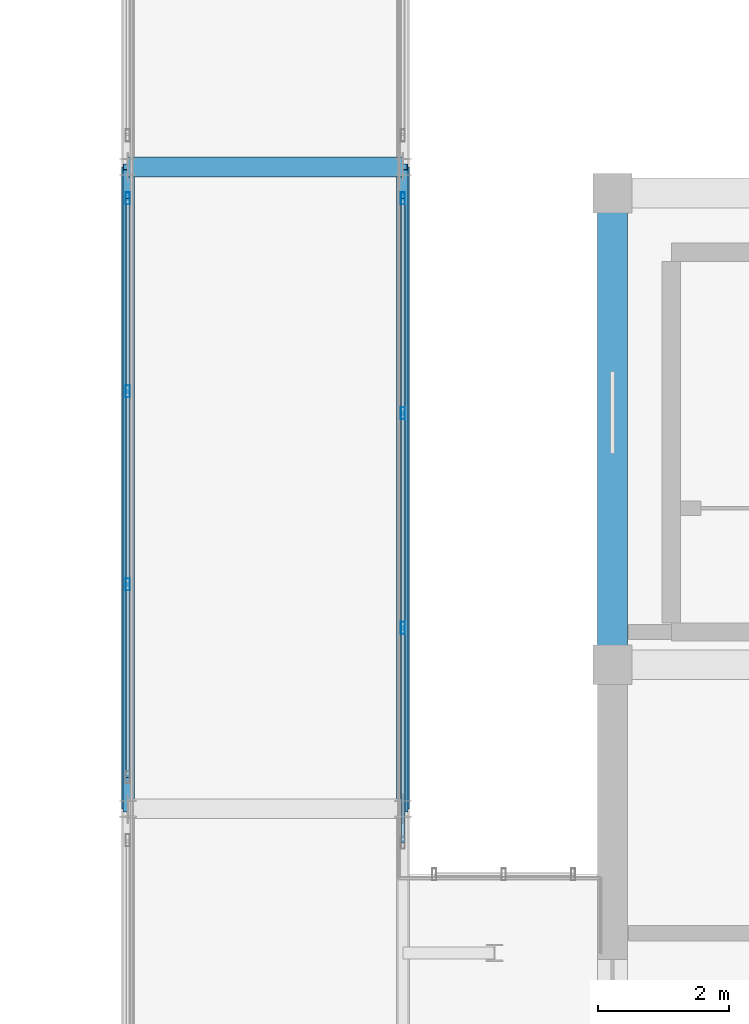
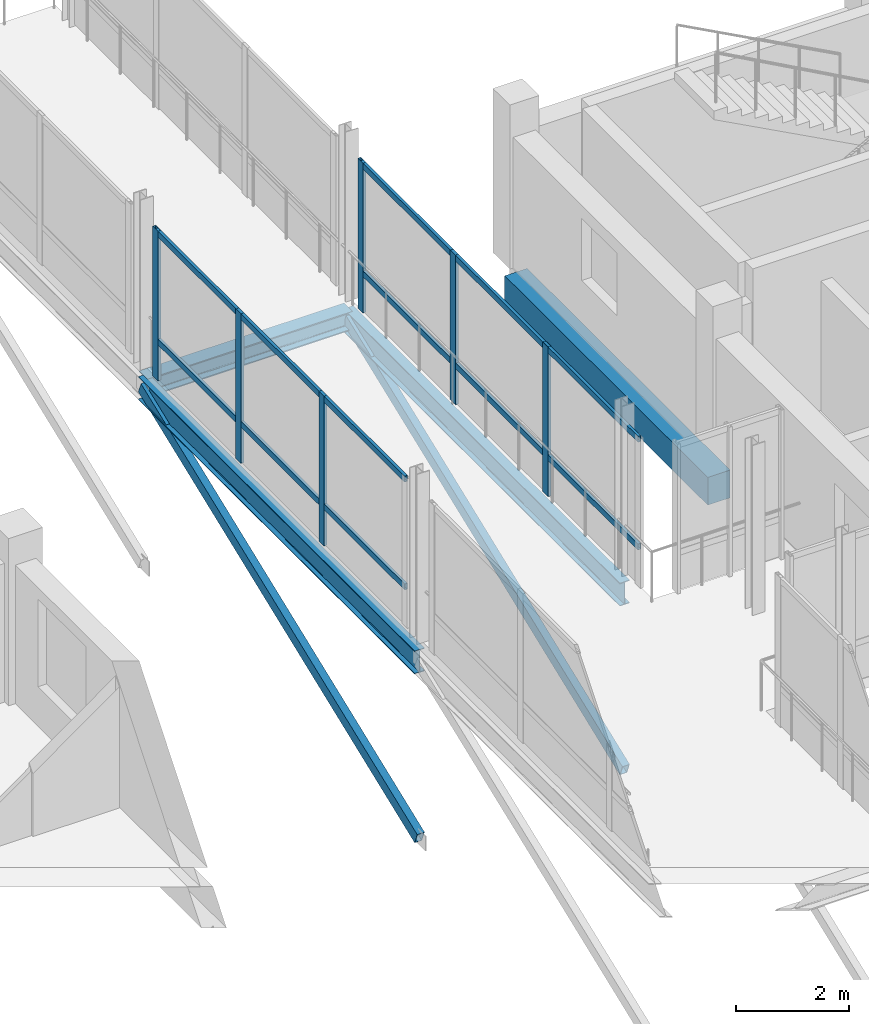
# One storey, part 21 of 128: 12 members, 4 beams, 2 elements without a shape of their own.
"""IFC4 building model written with IfcOpenShell, lengths in metres."""

from ifc_helpers import new_model, si_unit, direction, frame, origin, origin_2d, place, context, subcontext, project, spatial, rectangle, hollow_rectangle, i_section, extrude, material, material_profile, profile_set, type_object, element, aggregate, save


model = new_model("IFC4")

# Units and contexts
model_context = context("Model", 3, precision=1e-05, world=origin(), true_north=direction((0.0, 1.0)))
body_context = subcontext(model_context, "Body", "Model", "MODEL_VIEW")
ifc_project = project(units=[si_unit("LENGTHUNIT", "METRE"), si_unit("AREAUNIT", "SQUARE_METRE"), si_unit("VOLUMEUNIT", "CUBIC_METRE"), si_unit("PLANEANGLEUNIT", "RADIAN"), si_unit("MASSUNIT", "GRAM", prefix="KILO")], contexts=[model_context])

# Site, building, storey
site_placement = place(None, origin())
site = spatial("IfcSite", under=ifc_project, at=site_placement, CompositionType="ELEMENT")
building_placement = place(site_placement, origin())
building = spatial("IfcBuilding", under=site, at=building_placement, Name="Zornivar Specialist Clinic", CompositionType="ELEMENT")
storey_placement = place(building_placement, frame((0.0, 0.0, 4.5)))
storey = spatial("IfcBuildingStorey", under=building, at=storey_placement, Name="L01", CompositionType="ELEMENT", Elevation=4.5)

# Beams
ifc_material_1 = material(Name="Concrete C30/37", Category="concrete")
ifc_material_profile_1 = material_profile(ifc_material_1, rectangle(XDim=0.4599609375, YDim=0.60009765625, at=origin_2d()), Name="RC 460x600")
ifc_profile_set_1 = profile_set([ifc_material_profile_1], Name="Concrete C30/37")
beam_type_1 = type_object("IfcBeamType", Name="BM-RC-SPANDREL-460x600", PredefinedType="SPANDREL", material=ifc_profile_set_1)
beam_1_placement = place(storey_placement, frame((57.60009765625, 14.39990234375, -0.64990234375), z_axis=(0.0, 1.0, 0.0), x_axis=(-1.0, 0.0, 0.0)))
element("IfcBeam", 1, at=beam_1_placement, inside=storey, type_object=beam_type_1, Name="bm:V3:L01:y:576:2", PredefinedType="SPANDREL", context=body_context, shape_type="SweptSolid", body=[
    extrude(rectangle(XDim=0.4599609375, YDim=0.60009765625, at=origin_2d()), origin(), (0.0, 0.0, 1.0), 7.2001953125),
])
ifc_material_2 = material(Name="Steel S355J2", Category="steel")
ifc_material_profile_2 = material_profile(ifc_material_2, i_section(OverallWidth=0.300048828125, OverallDepth=0.39990234375, WebThickness=0.013427734375, FlangeThickness=0.02392578125, FilletRadius=0.027099609375, at=origin_2d()), Name="HEB 400")
ifc_profile_set_2 = profile_set([ifc_material_profile_2], Name="Steel S355J2")
beam_type_2 = type_object("IfcBeamType", Name="BM-STL-HEB400", PredefinedType="BEAM", material=ifc_profile_set_2)
beam_2_placement = place(storey_placement, frame((50.199951171875, 22.0, -0.429931640625), z_axis=(1.0, 0.0, 0.0), x_axis=(0.0, 1.0, 0.0)))
element("IfcBeam", 2, at=beam_2_placement, inside=storey, type_object=beam_type_2, Name="bm:BR1:L01:t:220", PredefinedType="BEAM", context=body_context, shape_type="SweptSolid", body=[
    extrude(i_section(OverallWidth=0.300048828125, OverallDepth=0.39990234375, WebThickness=0.013427734375, FlangeThickness=0.02392578125, FilletRadius=0.027099609375, at=origin_2d()), origin(), (0.0, 0.0, 1.0), 4.199951171875),
])
ifc_material_3 = material(Name="Steel S355J2", Category="steel")
ifc_material_profile_3 = material_profile(ifc_material_3, i_section(OverallWidth=0.199951171875, OverallDepth=0.5, WebThickness=0.01025390625, FlangeThickness=0.01611328125, FilletRadius=0.02099609375, at=origin_2d()), Name="IPE 500")
ifc_profile_set_3 = profile_set([ifc_material_profile_3], Name="Steel S355J2")
beam_type_3 = type_object("IfcBeamType", Name="BM-STL-IPE500", PredefinedType="BEAM", material=ifc_profile_set_3)
for number, where, z_axis, x_axis, name in (
    (3, (50.199951171875, 12.199951171875, -0.47998046875), (0.0, 1.0, 0.0), (-1.0, 0.0, 0.0), "bm:BR1:L01:g:502:1"),
    (4, (54.39990234375, 12.199951171875, -0.47998046875), (0.0, 1.0, 0.0), (-1.0, 0.0, 0.0), "bm:BR1:L01:g:544:1"),
):
    element("IfcBeam", number, at=place(storey_placement, frame(where, z_axis=z_axis, x_axis=x_axis)), inside=storey, type_object=beam_type_3, Name=name, PredefinedType="BEAM", context=body_context, shape_type="SweptSolid", body=[
        extrude(i_section(OverallWidth=0.199951171875, OverallDepth=0.5, WebThickness=0.01025390625, FlangeThickness=0.01611328125, FilletRadius=0.02099609375, at=origin_2d()), origin(), (0.0, 0.0, 1.0), 9.800048828125),
    ])

# Curtain wall, members
ifc_material_4 = material(Name="Aluminium and Low-E Glass Curtain Wall", Category="aluminium")
curtain_wall_type = type_object("IfcCurtainWallType", Name="CW-BRIDGE-LINK", PredefinedType="NOTDEFINED", material=ifc_material_4)
curtain_wall_1_placement = place(storey_placement, origin())
curtain_wall_1 = element("IfcCurtainWall", 5, at=curtain_wall_1_placement, inside=storey, type_object=curtain_wall_type, Name="cw:BR1:L01:W:1", PredefinedType="NOTDEFINED")
ifc_material_5 = material(Name="Aluminium AW-6060", Category="aluminium")
ifc_material_profile_4 = material_profile(ifc_material_5, hollow_rectangle(XDim=0.06494140625, YDim=0.18505859375, WallThickness=0.00439453125, at=origin_2d()), Name="ALU 65x185x4.5")
ifc_profile_set_4 = profile_set([ifc_material_profile_4], Name="Aluminium AW-6060")
member_type_1 = type_object("IfcMemberType", Name="CWM-MUL-185", PredefinedType="MULLION", material=ifc_profile_set_4)
member_1_placement = place(storey_placement, frame((50.199951171875, 15.626953125, 0.0), z_axis=(0.0, 0.0, 1.0), x_axis=(1.0, 0.0, 0.0)))
member_1 = element("IfcMember", 6, at=member_1_placement, type_object=member_type_1, Name="cw:BR1:L01:W:1:mul:1", PredefinedType="MULLION", context=body_context, shape_type="SweptSolid", body=[
    extrude(hollow_rectangle(XDim=0.06494140625, YDim=0.18505859375, WallThickness=0.00439453125, at=origin_2d()), origin(), (0.0, 0.0, 1.0), 3.239990234375),
])
member_2_placement = place(storey_placement, frame((50.199951171875, 18.572998046875, 0.0), z_axis=(0.0, 0.0, 1.0), x_axis=(1.0, 0.0, 0.0)))
member_2 = element("IfcMember", 7, at=member_2_placement, type_object=member_type_1, Name="cw:BR1:L01:W:1:mul:2", PredefinedType="MULLION", context=body_context, shape_type="SweptSolid", body=[
    extrude(hollow_rectangle(XDim=0.06494140625, YDim=0.18505859375, WallThickness=0.00439453125, at=origin_2d()), origin(), (0.0, 0.0, 1.0), 3.239990234375),
])
member_3_placement = place(storey_placement, frame((50.199951171875, 21.52001953125, 0.0), z_axis=(0.0, 0.0, 1.0), x_axis=(1.0, 0.0, 0.0)))
member_3 = element("IfcMember", 8, at=member_3_placement, type_object=member_type_1, Name="cw:BR1:L01:W:1:mul:3", PredefinedType="MULLION", context=body_context, shape_type="SweptSolid", body=[
    extrude(hollow_rectangle(XDim=0.06494140625, YDim=0.18505859375, WallThickness=0.00439453125, at=origin_2d()), origin(), (0.0, 0.0, 1.0), 3.239990234375),
])

curtain_wall_2_placement = place(storey_placement, origin())
curtain_wall_2 = element("IfcCurtainWall", 9, at=curtain_wall_2_placement, inside=storey, type_object=curtain_wall_type, Name="cw:BR1:L01:E:1", PredefinedType="NOTDEFINED")
member_4_placement = place(storey_placement, frame((54.39990234375, 14.9599609375, 0.0), z_axis=(0.0, 0.0, 1.0), x_axis=(1.0, 0.0, 0.0)))
member_4 = element("IfcMember", 10, at=member_4_placement, type_object=member_type_1, Name="cw:BR1:L01:E:1:mul:1", PredefinedType="MULLION", context=body_context, shape_type="SweptSolid", body=[
    extrude(hollow_rectangle(XDim=0.06494140625, YDim=0.18505859375, WallThickness=0.00439453125, at=origin_2d()), origin(), (0.0, 0.0, 1.0), 3.239990234375),
])
member_5_placement = place(storey_placement, frame((54.39990234375, 18.239990234375, 0.0), z_axis=(0.0, 0.0, 1.0), x_axis=(1.0, 0.0, 0.0)))
member_5 = element("IfcMember", 11, at=member_5_placement, type_object=member_type_1, Name="cw:BR1:L01:E:1:mul:2", PredefinedType="MULLION", context=body_context, shape_type="SweptSolid", body=[
    extrude(hollow_rectangle(XDim=0.06494140625, YDim=0.18505859375, WallThickness=0.00439453125, at=origin_2d()), origin(), (0.0, 0.0, 1.0), 3.239990234375),
])
member_6_placement = place(storey_placement, frame((54.39990234375, 21.52001953125, 0.0), z_axis=(0.0, 0.0, 1.0), x_axis=(1.0, 0.0, 0.0)))
member_6 = element("IfcMember", 12, at=member_6_placement, type_object=member_type_1, Name="cw:BR1:L01:E:1:mul:3", PredefinedType="MULLION", context=body_context, shape_type="SweptSolid", body=[
    extrude(hollow_rectangle(XDim=0.06494140625, YDim=0.18505859375, WallThickness=0.00439453125, at=origin_2d()), origin(), (0.0, 0.0, 1.0), 3.239990234375),
])

# Member
ifc_material_6 = material(Name="Aluminium AW-6060", Category="aluminium")
ifc_material_profile_5 = material_profile(ifc_material_6, hollow_rectangle(XDim=0.06005859375, YDim=0.1298828125, WallThickness=0.00390625, at=origin_2d()), Name="ALU 60x130x4")
ifc_profile_set_5 = profile_set([ifc_material_profile_5], Name="Aluminium AW-6060")
member_type_2 = type_object("IfcMemberType", Name="CWM-TRN-130", PredefinedType="USERDEFINED", material=ifc_profile_set_5)
member_7_placement = place(storey_placement, frame((50.199951171875, 12.679931640625, 0.842041015625), z_axis=(0.0, 1.0, 0.0), x_axis=(-1.0, 0.0, 0.0)))
member_7 = element("IfcMember", 13, at=member_7_placement, type_object=member_type_2, Name="cw:BR1:L01:W:1:trn:0", ObjectType="TRANSOM", PredefinedType="USERDEFINED", context=body_context, shape_type="SweptSolid", body=[
    extrude(hollow_rectangle(XDim=0.06005859375, YDim=0.1298828125, WallThickness=0.00390625, at=origin_2d()), origin(), (0.0, 0.0, 1.0), 8.840087890625),
])

member_8_placement = place(storey_placement, frame((50.199951171875, 12.679931640625, 3.175048828125), z_axis=(0.0, 1.0, 0.0), x_axis=(-1.0, 0.0, 0.0)))
member_8 = element("IfcMember", 14, at=member_8_placement, type_object=member_type_2, Name="cw:BR1:L01:W:1:trn:1", ObjectType="TRANSOM", PredefinedType="USERDEFINED", context=body_context, shape_type="SweptSolid", body=[
    extrude(hollow_rectangle(XDim=0.06005859375, YDim=0.1298828125, WallThickness=0.00390625, at=origin_2d()), origin(), (0.0, 0.0, 1.0), 8.840087890625),
])

aggregate(curtain_wall_1, [member_1, member_2, member_3, member_7, member_8])

member_9_placement = place(storey_placement, frame((54.39990234375, 11.679931640625, 0.842041015625), z_axis=(0.0, 1.0, 0.0), x_axis=(-1.0, 0.0, 0.0)))
member_9 = element("IfcMember", 15, at=member_9_placement, type_object=member_type_2, Name="cw:BR1:L01:E:1:trn:0", ObjectType="TRANSOM", PredefinedType="USERDEFINED", context=body_context, shape_type="SweptSolid", body=[
    extrude(hollow_rectangle(XDim=0.06005859375, YDim=0.1298828125, WallThickness=0.00390625, at=origin_2d()), origin(), (0.0, 0.0, 1.0), 9.840087890625),
])

member_10_placement = place(storey_placement, frame((54.39990234375, 11.679931640625, 3.175048828125), z_axis=(0.0, 1.0, 0.0), x_axis=(-1.0, 0.0, 0.0)))
member_10 = element("IfcMember", 16, at=member_10_placement, type_object=member_type_2, Name="cw:BR1:L01:E:1:trn:1", ObjectType="TRANSOM", PredefinedType="USERDEFINED", context=body_context, shape_type="SweptSolid", body=[
    extrude(hollow_rectangle(XDim=0.06005859375, YDim=0.1298828125, WallThickness=0.00390625, at=origin_2d()), origin(), (0.0, 0.0, 1.0), 9.840087890625),
])

aggregate(curtain_wall_2, [member_4, member_5, member_6, member_9, member_10])

# Members
ifc_material_7 = material(Name="Steel S355J2", Category="steel")
ifc_material_profile_6 = material_profile(ifc_material_7, hollow_rectangle(XDim=0.14990234375, YDim=0.25, WallThickness=0.010009765625, at=origin_2d()), Name="RHS 250x150x10")
ifc_profile_set_6 = profile_set([ifc_material_profile_6], Name="Steel S355J2")
member_type_3 = type_object("IfcMemberType", Name="MEM-BR-BRACE-RHS250", PredefinedType="BRACE", material=ifc_profile_set_6)
for number, where, z_axis, x_axis, name in (
    (17, (50.199951171875, 12.199951171875, -4.300048828125), (0.0, 0.931717320605, 0.363184298236), (-1.0, 0.0, 0.0), "mem:BR1:L01:brace:1"),
    (18, (54.39990234375, 12.199951171875, -4.300048828125), (0.0, 0.931717320605, 0.363184298236), (-1.0, 0.0, 0.0), "mem:BR1:L01:braceE:1"),
):
    element("IfcMember", number, at=place(storey_placement, frame(where, z_axis=z_axis, x_axis=x_axis)), inside=storey, type_object=member_type_3, Name=name, PredefinedType="BRACE", context=body_context, shape_type="SweptSolid", body=[
        extrude(hollow_rectangle(XDim=0.14990234375, YDim=0.25, WallThickness=0.010009765625, at=origin_2d()), origin(), (0.0, 0.0, 1.0), 10.518310546875),
    ])

save(model, "model.ifc")
